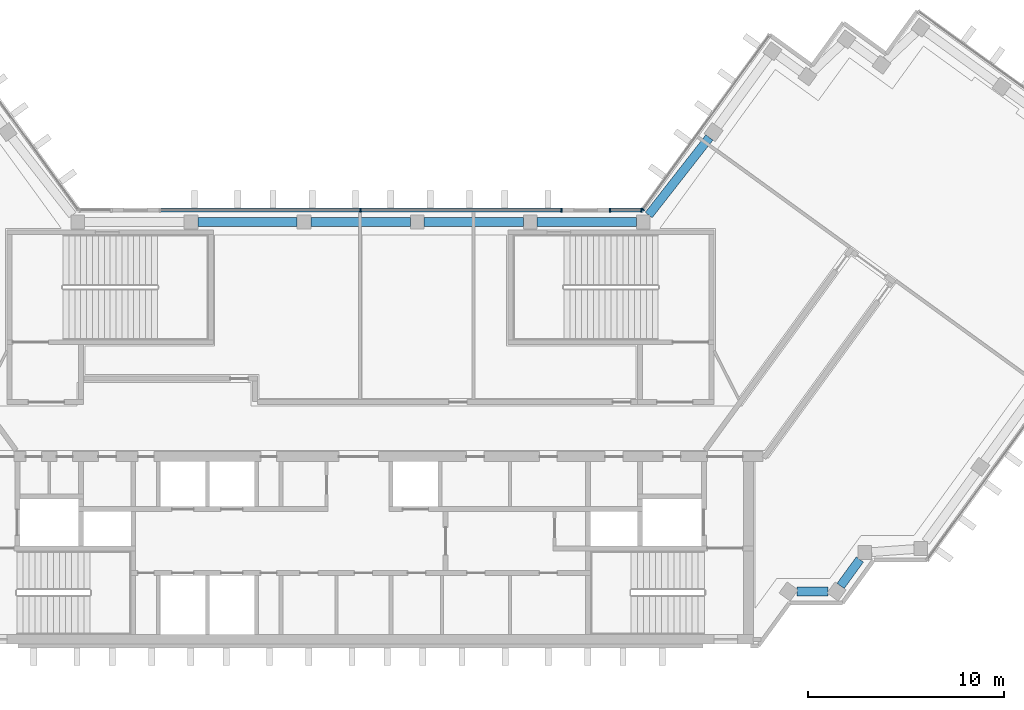
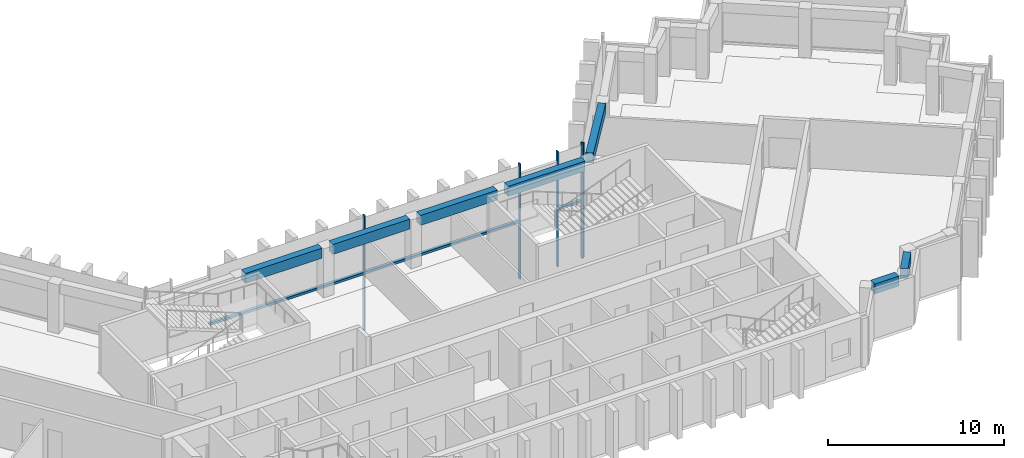
# One storey, part 3 of 13: 8 members, 7 beams, 3 elements without a shape of their own.
"""IFC4 building model written with IfcOpenShell, lengths in metres."""

from ifc_helpers import new_model, si_unit, direction, frame, origin, origin_2d, place, context, subcontext, project, spatial, rectangle, extrude, material, material_profile, profile_set, type_object, element, aggregate, save


model = new_model("IFC4")

# Units and contexts
model_context = context("Model", 3, precision=1e-05, world=origin(), true_north=direction((0.0, 1.0)))
body_context = subcontext(model_context, "Body", "Model", "MODEL_VIEW")
ifc_project = project(units=[si_unit("LENGTHUNIT", "METRE"), si_unit("AREAUNIT", "SQUARE_METRE"), si_unit("VOLUMEUNIT", "CUBIC_METRE"), si_unit("PLANEANGLEUNIT", "RADIAN"), si_unit("MASSUNIT", "GRAM", prefix="KILO")], contexts=[model_context])

# Site, building, storey
site_placement = place(None, origin())
site = spatial("IfcSite", under=ifc_project, at=site_placement, CompositionType="ELEMENT")
building_placement = place(site_placement, origin())
building = spatial("IfcBuilding", under=site, at=building_placement, Name="Quipu Civic Tower", CompositionType="ELEMENT")
storey_placement = place(building_placement, frame((0.0, 0.0, 297.0)))
storey = spatial("IfcBuildingStorey", under=building, at=storey_placement, Name="L69", CompositionType="ELEMENT", Elevation=297.0)

# Curtain wall, member
ifc_material_1 = material(Name="Insulated glass unit", Category="glass")
curtain_wall_type = type_object("IfcCurtainWallType", Name="Office curtain wall CW1", PredefinedType="NOTDEFINED", material=ifc_material_1)
curtain_wall_1_placement = place(storey_placement, origin())
curtain_wall_1 = element("IfcCurtainWall", 1, at=curtain_wall_1_placement, inside=storey, type_object=curtain_wall_type, Name="Office curtain wall CW1 L68 run 33", PredefinedType="NOTDEFINED")
ifc_material_2 = material(Name="Anodised aluminium", Category="aluminium")
ifc_material_profile_1 = material_profile(ifc_material_2, rectangle(XDim=0.199951171875, YDim=0.080078125, at=origin_2d()), Name="RECT 200x80")
ifc_profile_set_1 = profile_set([ifc_material_profile_1], Name="Anodised aluminium")
member_type_1 = type_object("IfcMemberType", Name="Mullion CW1", PredefinedType="MULLION", material=ifc_profile_set_1)
member_1_placement = place(storey_placement, frame((14.36767578125, 11.13232421875, -3.919921875), z_axis=(0.0, 0.0, 1.0), x_axis=(0.809015163947, -0.587787771652, 0.0)))
member_1 = element("IfcMember", 2, at=member_1_placement, type_object=member_type_1, Name="CW1 mullion 2", PredefinedType="MULLION", context=body_context, shape_type="SweptSolid", body=[
    extrude(rectangle(XDim=0.199951171875, YDim=0.080078125, at=origin_2d()), origin(), (0.0, 0.0, 1.0), 8.0),
])
aggregate(curtain_wall_1, [member_1])

# Curtain wall, members
curtain_wall_2_placement = place(storey_placement, origin())
curtain_wall_2 = element("IfcCurtainWall", 3, at=curtain_wall_2_placement, inside=storey, type_object=curtain_wall_type, Name="Office curtain wall CW1 L68 run 34", PredefinedType="NOTDEFINED")
member_2_placement = place(storey_placement, frame((14.30419921875, 11.10009765625, -3.919921875), z_axis=(0.0, 0.0, 1.0), x_axis=(0.0, -1.0, 0.0)))
member_2 = element("IfcMember", 4, at=member_2_placement, type_object=member_type_1, Name="CW1 mullion 1", PredefinedType="MULLION", context=body_context, shape_type="SweptSolid", body=[
    extrude(rectangle(XDim=0.199951171875, YDim=0.080078125, at=origin_2d()), origin(), (0.0, 0.0, 1.0), 8.0),
])
member_3_placement = place(storey_placement, frame((12.695068359375, 11.10009765625, -3.919921875), z_axis=(0.0, 0.0, 1.0), x_axis=(0.0, -1.0, 0.0)))
member_3 = element("IfcMember", 5, at=member_3_placement, type_object=member_type_1, Name="CW1 mullion 2", PredefinedType="MULLION", context=body_context, shape_type="SweptSolid", body=[
    extrude(rectangle(XDim=0.199951171875, YDim=0.080078125, at=origin_2d()), origin(), (0.0, 0.0, 1.0), 8.0),
])

curtain_wall_3_placement = place(storey_placement, origin())
curtain_wall_3 = element("IfcCurtainWall", 6, at=curtain_wall_3_placement, inside=storey, type_object=curtain_wall_type, Name="Office curtain wall CW1 L68 run 36", PredefinedType="NOTDEFINED")
member_4_placement = place(storey_placement, frame((10.223388671875, 11.10009765625, -3.919921875), z_axis=(0.0, 0.0, 1.0), x_axis=(0.0, -1.0, 0.0)))
member_4 = element("IfcMember", 7, at=member_4_placement, type_object=member_type_1, Name="CW1 mullion 1", PredefinedType="MULLION", context=body_context, shape_type="SweptSolid", body=[
    extrude(rectangle(XDim=0.199951171875, YDim=0.080078125, at=origin_2d()), origin(), (0.0, 0.0, 1.0), 8.0),
])
member_5_placement = place(storey_placement, frame((0.0, 11.10009765625, -3.919921875), z_axis=(0.0, 0.0, 1.0), x_axis=(0.0, -1.0, 0.0)))
member_5 = element("IfcMember", 8, at=member_5_placement, type_object=member_type_1, Name="CW1 mullion 2", PredefinedType="MULLION", context=body_context, shape_type="SweptSolid", body=[
    extrude(rectangle(XDim=0.199951171875, YDim=0.080078125, at=origin_2d()), origin(), (0.0, 0.0, 1.0), 8.0),
])

# Beams
ifc_material_3 = material(Name="Concrete C50/60", Category="concrete")
ifc_material_profile_2 = material_profile(ifc_material_3, rectangle(XDim=0.449951171875, YDim=0.699951171875, at=origin_2d()), Name="RC450x700")
ifc_profile_set_2 = profile_set([ifc_material_profile_2], Name="Concrete C50/60")
beam_type = type_object("IfcBeamType", Name="Spandrel beam RC 450x700 C50/60", PredefinedType="SPANDREL", material=ifc_profile_set_2)
beam_1_placement = place(storey_placement, frame((22.224365234375, -8.31494140625, 3.050048828125), z_axis=(1.0, 0.0, 0.0), x_axis=(0.0, 1.0, 0.0)))
element("IfcBeam", 9, at=beam_1_placement, inside=storey, type_object=beam_type, Name="Spandrel beam L69 J-Eo.1 to J-Eo.2", PredefinedType="SPANDREL", context=body_context, shape_type="SweptSolid", body=[
    extrude(rectangle(XDim=0.449951171875, YDim=0.699951171875, at=origin_2d()), origin(), (0.0, 0.0, 1.0), 1.578125),
])
beam_2_placement = place(storey_placement, frame((24.44091796875, -8.031982421875, 3.050048828125), z_axis=(0.588407300614, 0.80856468423, 0.0), x_axis=(-0.80856468423, 0.588407300614, 0.0)))
element("IfcBeam", 10, at=beam_2_placement, inside=storey, type_object=beam_type, Name="Spandrel beam L69 J-Eo.2 to J-Eo.3", PredefinedType="SPANDREL", context=body_context, shape_type="SweptSolid", body=[
    extrude(rectangle(XDim=0.449951171875, YDim=0.699951171875, at=origin_2d()), origin(), (0.0, 0.0, 1.0), 1.663330078125),
])
beam_3_placement = place(storey_placement, frame((17.7578125, 14.799072265625, 3.050048828125), z_axis=(-0.616106034519, -0.787663223865, 0.0), x_axis=(0.787663223865, -0.616106034519, 0.0)))
element("IfcBeam", 11, at=beam_3_placement, inside=storey, type_object=beam_type, Name="Spandrel beam L69 E-IN-01 to J-Ei.0", PredefinedType="SPANDREL", context=body_context, shape_type="SweptSolid", body=[
    extrude(rectangle(XDim=0.449951171875, YDim=0.699951171875, at=origin_2d()), origin(), (0.0, 0.0, 1.0), 5.013427734375),
])
for number, where, z_axis, x_axis, name in (
    (12, (14.045166015625, 10.5, 3.050048828125), (-1.0, 0.0, 0.0), (0.0, -1.0, 0.0), "Spandrel beam L69 J-Ei.0 to FRONT-01"),
    (13, (8.287109375, 10.5, 3.050048828125), (-1.0, 0.0, 0.0), (0.0, -1.0, 0.0), "Spandrel beam L69 FRONT-01 to FRONT-02"),
    (14, (2.529052734375, 10.5, 3.050048828125), (-1.0, 0.0, 0.0), (0.0, -1.0, 0.0), "Spandrel beam L69 FRONT-02 to FRONT-03"),
    (15, (-3.22900390625, 10.5, 3.050048828125), (-1.0, 0.0, 0.0), (0.0, -1.0, 0.0), "Spandrel beam L69 FRONT-03 to FRONT-04"),
):
    element("IfcBeam", number, at=place(storey_placement, frame(where, z_axis=z_axis, x_axis=x_axis)), inside=storey, type_object=beam_type, Name=name, PredefinedType="SPANDREL", context=body_context, shape_type="SweptSolid", body=[
        extrude(rectangle(XDim=0.449951171875, YDim=0.699951171875, at=origin_2d()), origin(), (0.0, 0.0, 1.0), 5.05810546875),
    ])

# Member
ifc_material_4 = material(Name="Anodised aluminium", Category="aluminium")
ifc_material_profile_3 = material_profile(ifc_material_4, rectangle(XDim=0.199951171875, YDim=0.159912109375, at=origin_2d()), Name="RECT 200x160")
ifc_profile_set_3 = profile_set([ifc_material_profile_3], Name="Anodised aluminium")
member_type_2 = type_object("IfcMemberType", Name="Transom CW1", PredefinedType="USERDEFINED", material=ifc_profile_set_3)
member_6_placement = place(storey_placement, frame((14.26416015625, 11.10009765625, 0.080078125), z_axis=(-1.0, 0.0, 0.0), x_axis=(0.0, -1.0, 0.0)))
member_6 = element("IfcMember", 16, at=member_6_placement, type_object=member_type_2, Name="CW1 transom 1.2", ObjectType="TRANSOM", PredefinedType="USERDEFINED", context=body_context, shape_type="SweptSolid", body=[
    extrude(rectangle(XDim=0.199951171875, YDim=0.159912109375, at=origin_2d()), origin(), (0.0, 0.0, 1.0), 1.529052734375),
])

aggregate(curtain_wall_2, [member_2, member_3, member_6])

member_7_placement = place(storey_placement, frame((10.18359375, 11.10009765625, 0.080078125), z_axis=(-1.0, 0.0, 0.0), x_axis=(0.0, -1.0, 0.0)))
member_7 = element("IfcMember", 17, at=member_7_placement, type_object=member_type_2, Name="CW1 transom 1.2", ObjectType="TRANSOM", PredefinedType="USERDEFINED", context=body_context, shape_type="SweptSolid", body=[
    extrude(rectangle(XDim=0.199951171875, YDim=0.159912109375, at=origin_2d()), origin(), (0.0, 0.0, 1.0), 10.1435546875),
])

member_8_placement = place(storey_placement, frame((-0.0400390625, 11.10009765625, 0.080078125), z_axis=(-1.0, 0.0, 0.0), x_axis=(0.0, -1.0, 0.0)))
member_8 = element("IfcMember", 18, at=member_8_placement, type_object=member_type_2, Name="CW1 transom 2.2", ObjectType="TRANSOM", PredefinedType="USERDEFINED", context=body_context, shape_type="SweptSolid", body=[
    extrude(rectangle(XDim=0.199951171875, YDim=0.159912109375, at=origin_2d()), origin(), (0.0, 0.0, 1.0), 10.1435546875),
])

aggregate(curtain_wall_3, [member_4, member_5, member_7, member_8])

save(model, "model.ifc")
